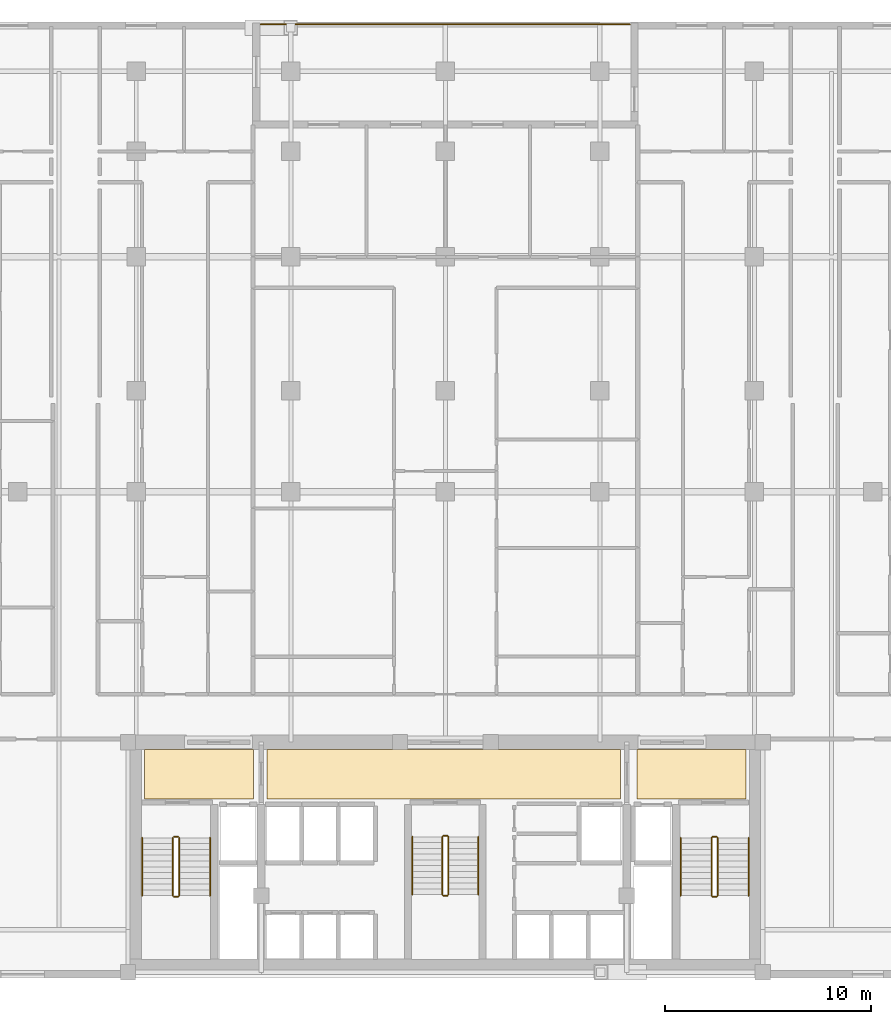
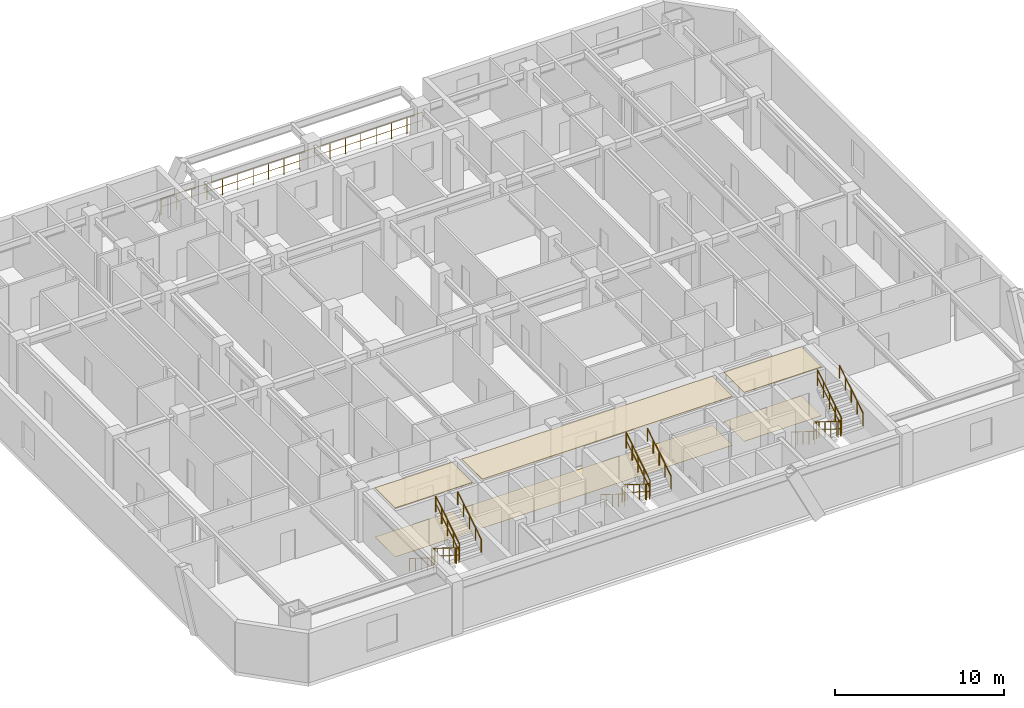
# One storey, part 10 of 10: 19 railings, 6 coverings.
"""IFC4 building model written with IfcOpenShell, lengths in metres."""

from ifc_helpers import new_model, si_unit, direction, frame, origin, origin_2d, place, context, subcontext, project, spatial, polyline, circle, outline, extrude, material, layer, layer_set, type_object, element, save


model = new_model("IFC4")

# Units and contexts
model_context = context("Model", 3, precision=1e-05, world=origin(), true_north=direction((0.0, 1.0)))
body_context = subcontext(model_context, "Body", "Model", "MODEL_VIEW")
ifc_project = project(units=[si_unit("LENGTHUNIT", "METRE"), si_unit("AREAUNIT", "SQUARE_METRE"), si_unit("VOLUMEUNIT", "CUBIC_METRE"), si_unit("PLANEANGLEUNIT", "RADIAN"), si_unit("MASSUNIT", "GRAM", prefix="KILO")], contexts=[model_context])

# Site, building, storey
site_placement = place(None, origin())
site = spatial("IfcSite", under=ifc_project, at=site_placement, CompositionType="ELEMENT")
building_placement = place(site_placement, origin())
building = spatial("IfcBuilding", under=site, at=building_placement, Name="Ventersveld Concourse Tower", CompositionType="ELEMENT")
storey_placement = place(building_placement, frame((0.0, 0.0, 72.14990234375)))
storey = spatial("IfcBuildingStorey", under=building, at=storey_placement, Name="L17", CompositionType="ELEMENT", Elevation=72.14990234375)

# Coverings
ifc_material_1 = material(Name="Mineral-fibre acoustic ceiling tile", Category="gypsum")
ifc_layer_1 = layer(ifc_material_1, 0.0400390625)
ifc_layer_set_1 = layer_set([ifc_layer_1], Name="Mineral-fibre acoustic ceiling tile")
covering_type_1 = type_object("IfcCoveringType", Name="COV-CEIL-ACOUSTIC", PredefinedType="CEILING", material=ifc_layer_set_1)
covering_1_placement = place(storey_placement, frame((0.0, 0.0, 3.530029296875)))
element("IfcCovering", 1, at=covering_1_placement, inside=storey, type_object=covering_type_1, Name="L17 North Lift Lobby Acoustic Ceiling", PredefinedType="CEILING", context=body_context, shape_type="SweptSolid", body=[
    extrude(outline(polyline([(20.10009765625, 8.699951171875), (37.25, 8.699951171875), (37.25, 11.10009765625), (20.10009765625, 11.10009765625), (20.10009765625, 8.699951171875)])), origin(), (0.0, 0.0, 1.0), 0.0400390625),
])
covering_2_placement = place(storey_placement, frame((0.0, 0.0, 3.530029296875)))
element("IfcCovering", 2, at=covering_2_placement, inside=storey, type_object=covering_type_1, Name="L17 West Firefighting Lobby Acoustic Ceiling", PredefinedType="CEILING", context=body_context, shape_type="SweptSolid", body=[
    extrude(outline(polyline([(14.14990234375, 8.699951171875), (19.449951171875, 8.699951171875), (19.449951171875, 11.10009765625), (14.14990234375, 11.10009765625), (14.14990234375, 8.699951171875)])), origin(), (0.0, 0.0, 1.0), 0.0400390625),
])
covering_3_placement = place(storey_placement, frame((0.0, 0.0, 3.530029296875)))
element("IfcCovering", 3, at=covering_3_placement, inside=storey, type_object=covering_type_1, Name="L17 East Firefighting Lobby Acoustic Ceiling", PredefinedType="CEILING", context=body_context, shape_type="SweptSolid", body=[
    extrude(outline(polyline([(38.050048828125, 8.699951171875), (43.35009765625, 8.699951171875), (43.35009765625, 11.10009765625), (38.050048828125, 11.10009765625), (38.050048828125, 8.699951171875)])), origin(), (0.0, 0.0, 1.0), 0.0400390625),
])
ifc_material_2 = material(Name="Polished Highveld granite terrazzo", Category="masonry")
ifc_layer_2 = layer(ifc_material_2, 0.02001953125)
ifc_layer_set_2 = layer_set([ifc_layer_2], Name="Polished Highveld granite terrazzo")
covering_type_2 = type_object("IfcCoveringType", Name="COV-FLOOR-TERRAZZO", PredefinedType="FLOORING", material=ifc_layer_set_2)
covering_4_placement = place(storey_placement, origin())
element("IfcCovering", 4, at=covering_4_placement, inside=storey, type_object=covering_type_2, Name="L17 North Lift Lobby Terrazzo Flooring", PredefinedType="FLOORING", context=body_context, shape_type="SweptSolid", body=[
    extrude(outline(polyline([(20.10009765625, 8.699951171875), (37.25, 8.699951171875), (37.25, 11.10009765625), (20.10009765625, 11.10009765625), (20.10009765625, 8.699951171875)])), origin(), (0.0, 0.0, 1.0), 0.02001953125),
])
covering_5_placement = place(storey_placement, origin())
element("IfcCovering", 5, at=covering_5_placement, inside=storey, type_object=covering_type_2, Name="L17 West Firefighting Lobby Terrazzo Flooring", PredefinedType="FLOORING", context=body_context, shape_type="SweptSolid", body=[
    extrude(outline(polyline([(14.14990234375, 8.699951171875), (19.449951171875, 8.699951171875), (19.449951171875, 11.10009765625), (14.14990234375, 11.10009765625), (14.14990234375, 8.699951171875)])), origin(), (0.0, 0.0, 1.0), 0.02001953125),
])
covering_6_placement = place(storey_placement, origin())
element("IfcCovering", 6, at=covering_6_placement, inside=storey, type_object=covering_type_2, Name="L17 East Firefighting Lobby Terrazzo Flooring", PredefinedType="FLOORING", context=body_context, shape_type="SweptSolid", body=[
    extrude(outline(polyline([(38.050048828125, 8.699951171875), (43.35009765625, 8.699951171875), (43.35009765625, 11.10009765625), (38.050048828125, 11.10009765625), (38.050048828125, 8.699951171875)])), origin(), (0.0, 0.0, 1.0), 0.02001953125),
])

# Railings
ifc_material_3 = material(Name="Brushed stainless steel 316", Category="steel")
railing_type_1 = type_object("IfcRailingType", Name="GD-BAL-115", PredefinedType="GUARDRAIL", material=ifc_material_3)
railing_1_placement = place(storey_placement, frame((15.530029296875, 6.800048828125, 0.175048828125)))
element("IfcRailing", 7, at=railing_1_placement, inside=storey, type_object=railing_type_1, Name="L17 ST-01 stair guard 1", PredefinedType="GUARDRAIL", context=body_context, shape_type="SweptSolid", body=[
    extrude(circle(Radius=0.02392578125, at=origin_2d()), frame((0.0, 0.0, 1.1259765625), z_axis=(0.0, -0.848002457836, 0.529992293815), x_axis=(1.0, 0.0, 0.0)), (0.0, 0.0, 1.0), 3.302001953125),
    extrude(circle(Radius=0.01611328125, at=origin_2d()), frame((0.0, 0.0, 0.574951171875), z_axis=(0.0, -0.848002457836, 0.529992293815), x_axis=(1.0, 0.0, 0.0)), (0.0, 0.0, 1.0), 3.302001953125),
    extrude(circle(Radius=0.02099609375, at=origin_2d()), origin(), (0.0, 0.0, 1.0), 1.101806640625),
    extrude(circle(Radius=0.02099609375, at=origin_2d()), frame((0.0, -0.699951171875, 0.4375)), (0.0, 0.0, 1.0), 1.101806640625),
    extrude(circle(Radius=0.02099609375, at=origin_2d()), frame((0.0, -1.39990234375, 0.875)), (0.0, 0.0, 1.0), 1.101806640625),
    extrude(circle(Radius=0.02099609375, at=origin_2d()), frame((0.0, -2.10009765625, 1.3125)), (0.0, 0.0, 1.0), 1.101806640625),
    extrude(circle(Radius=0.02099609375, at=origin_2d()), frame((0.0, -2.800048828125, 1.75)), (0.0, 0.0, 1.0), 1.101806640625),
])
railing_2_placement = place(storey_placement, frame((15.580078125, 3.949951171875, 1.925048828125)))
element("IfcRailing", 8, at=railing_2_placement, inside=storey, type_object=railing_type_1, Name="L17 ST-01 stair guard 2", PredefinedType="GUARDRAIL", context=body_context, shape_type="SweptSolid", body=[
    extrude(circle(Radius=0.02392578125, at=origin_2d()), frame((0.0, 0.0, 1.1259765625), z_axis=(1.0, 0.0, 0.0), x_axis=(0.0, 1.0, 0.0)), (0.0, 0.0, 1.0), 0.199951171875),
    extrude(circle(Radius=0.01611328125, at=origin_2d()), frame((0.0, 0.0, 0.574951171875), z_axis=(1.0, 0.0, 0.0), x_axis=(0.0, 1.0, 0.0)), (0.0, 0.0, 1.0), 0.199951171875),
    extrude(circle(Radius=0.02099609375, at=origin_2d()), origin(), (0.0, 0.0, 1.0), 1.101806640625),
    extrude(circle(Radius=0.02099609375, at=origin_2d()), frame((0.199951171875, 0.0, 0.0)), (0.0, 0.0, 1.0), 1.101806640625),
])
railing_3_placement = place(storey_placement, frame((15.830078125, 4.0, 2.10009765625)))
element("IfcRailing", 9, at=railing_3_placement, inside=storey, type_object=railing_type_1, Name="L17 ST-01 stair guard 3", PredefinedType="GUARDRAIL", context=body_context, shape_type="SweptSolid", body=[
    extrude(circle(Radius=0.02392578125, at=origin_2d()), frame((0.0, 0.0, 1.1259765625), z_axis=(0.0, 0.848002457836, 0.529992293815), x_axis=(-1.0, 0.0, 0.0)), (0.0, 0.0, 1.0), 3.302001953125),
    extrude(circle(Radius=0.01611328125, at=origin_2d()), frame((0.0, 0.0, 0.574951171875), z_axis=(0.0, 0.848002457836, 0.529992293815), x_axis=(-1.0, 0.0, 0.0)), (0.0, 0.0, 1.0), 3.302001953125),
    extrude(circle(Radius=0.02099609375, at=origin_2d()), origin(), (0.0, 0.0, 1.0), 1.101806640625),
    extrude(circle(Radius=0.02099609375, at=origin_2d()), frame((0.0, 0.699951171875, 0.4375)), (0.0, 0.0, 1.0), 1.101806640625),
    extrude(circle(Radius=0.02099609375, at=origin_2d()), frame((0.0, 1.39990234375, 0.875)), (0.0, 0.0, 1.0), 1.101806640625),
    extrude(circle(Radius=0.02099609375, at=origin_2d()), frame((0.0, 2.10009765625, 1.3125)), (0.0, 0.0, 1.0), 1.101806640625),
    extrude(circle(Radius=0.02099609375, at=origin_2d()), frame((0.0, 2.800048828125, 1.75)), (0.0, 0.0, 1.0), 1.101806640625),
])
railing_4_placement = place(storey_placement, frame((15.580078125, 6.85009765625, 0.0)))
element("IfcRailing", 10, at=railing_4_placement, inside=storey, type_object=railing_type_1, Name="L17 ST-01 stair guard 4", PredefinedType="GUARDRAIL", context=body_context, shape_type="SweptSolid", body=[
    extrude(circle(Radius=0.02392578125, at=origin_2d()), frame((0.0, 0.0, 1.1259765625), z_axis=(1.0, 0.0, 0.0), x_axis=(0.0, 1.0, 0.0)), (0.0, 0.0, 1.0), 0.199951171875),
    extrude(circle(Radius=0.01611328125, at=origin_2d()), frame((0.0, 0.0, 0.574951171875), z_axis=(1.0, 0.0, 0.0), x_axis=(0.0, 1.0, 0.0)), (0.0, 0.0, 1.0), 0.199951171875),
    extrude(circle(Radius=0.02099609375, at=origin_2d()), origin(), (0.0, 0.0, 1.0), 1.101806640625),
    extrude(circle(Radius=0.02099609375, at=origin_2d()), frame((0.199951171875, 0.0, 0.0)), (0.0, 0.0, 1.0), 1.101806640625),
])
railing_5_placement = place(storey_placement, frame((41.669921875, 6.800048828125, 0.175048828125)))
element("IfcRailing", 11, at=railing_5_placement, inside=storey, type_object=railing_type_1, Name="L17 ST-02 stair guard 1", PredefinedType="GUARDRAIL", context=body_context, shape_type="SweptSolid", body=[
    extrude(circle(Radius=0.02392578125, at=origin_2d()), frame((0.0, 0.0, 1.1259765625), z_axis=(0.0, -0.848002457836, 0.529992293815), x_axis=(1.0, 0.0, 0.0)), (0.0, 0.0, 1.0), 3.302001953125),
    extrude(circle(Radius=0.01611328125, at=origin_2d()), frame((0.0, 0.0, 0.574951171875), z_axis=(0.0, -0.848002457836, 0.529992293815), x_axis=(1.0, 0.0, 0.0)), (0.0, 0.0, 1.0), 3.302001953125),
    extrude(circle(Radius=0.02099609375, at=origin_2d()), origin(), (0.0, 0.0, 1.0), 1.101806640625),
    extrude(circle(Radius=0.02099609375, at=origin_2d()), frame((0.0, -0.699951171875, 0.4375)), (0.0, 0.0, 1.0), 1.101806640625),
    extrude(circle(Radius=0.02099609375, at=origin_2d()), frame((0.0, -1.39990234375, 0.875)), (0.0, 0.0, 1.0), 1.101806640625),
    extrude(circle(Radius=0.02099609375, at=origin_2d()), frame((0.0, -2.10009765625, 1.3125)), (0.0, 0.0, 1.0), 1.101806640625),
    extrude(circle(Radius=0.02099609375, at=origin_2d()), frame((0.0, -2.800048828125, 1.75)), (0.0, 0.0, 1.0), 1.101806640625),
])
railing_6_placement = place(storey_placement, frame((41.719970703125, 3.949951171875, 1.925048828125)))
element("IfcRailing", 12, at=railing_6_placement, inside=storey, type_object=railing_type_1, Name="L17 ST-02 stair guard 2", PredefinedType="GUARDRAIL", context=body_context, shape_type="SweptSolid", body=[
    extrude(circle(Radius=0.02392578125, at=origin_2d()), frame((0.0, 0.0, 1.1259765625), z_axis=(1.0, 0.0, 0.0), x_axis=(0.0, 1.0, 0.0)), (0.0, 0.0, 1.0), 0.199951171875),
    extrude(circle(Radius=0.01611328125, at=origin_2d()), frame((0.0, 0.0, 0.574951171875), z_axis=(1.0, 0.0, 0.0), x_axis=(0.0, 1.0, 0.0)), (0.0, 0.0, 1.0), 0.199951171875),
    extrude(circle(Radius=0.02099609375, at=origin_2d()), origin(), (0.0, 0.0, 1.0), 1.101806640625),
    extrude(circle(Radius=0.02099609375, at=origin_2d()), frame((0.199951171875, 0.0, 0.0)), (0.0, 0.0, 1.0), 1.101806640625),
])
railing_7_placement = place(storey_placement, frame((41.969970703125, 4.0, 2.10009765625)))
element("IfcRailing", 13, at=railing_7_placement, inside=storey, type_object=railing_type_1, Name="L17 ST-02 stair guard 3", PredefinedType="GUARDRAIL", context=body_context, shape_type="SweptSolid", body=[
    extrude(circle(Radius=0.02392578125, at=origin_2d()), frame((0.0, 0.0, 1.1259765625), z_axis=(0.0, 0.848002457836, 0.529992293815), x_axis=(-1.0, 0.0, 0.0)), (0.0, 0.0, 1.0), 3.302001953125),
    extrude(circle(Radius=0.01611328125, at=origin_2d()), frame((0.0, 0.0, 0.574951171875), z_axis=(0.0, 0.848002457836, 0.529992293815), x_axis=(-1.0, 0.0, 0.0)), (0.0, 0.0, 1.0), 3.302001953125),
    extrude(circle(Radius=0.02099609375, at=origin_2d()), origin(), (0.0, 0.0, 1.0), 1.101806640625),
    extrude(circle(Radius=0.02099609375, at=origin_2d()), frame((0.0, 0.699951171875, 0.4375)), (0.0, 0.0, 1.0), 1.101806640625),
    extrude(circle(Radius=0.02099609375, at=origin_2d()), frame((0.0, 1.39990234375, 0.875)), (0.0, 0.0, 1.0), 1.101806640625),
    extrude(circle(Radius=0.02099609375, at=origin_2d()), frame((0.0, 2.10009765625, 1.3125)), (0.0, 0.0, 1.0), 1.101806640625),
    extrude(circle(Radius=0.02099609375, at=origin_2d()), frame((0.0, 2.800048828125, 1.75)), (0.0, 0.0, 1.0), 1.101806640625),
])
railing_8_placement = place(storey_placement, frame((41.719970703125, 6.85009765625, 0.0)))
element("IfcRailing", 14, at=railing_8_placement, inside=storey, type_object=railing_type_1, Name="L17 ST-02 stair guard 4", PredefinedType="GUARDRAIL", context=body_context, shape_type="SweptSolid", body=[
    extrude(circle(Radius=0.02392578125, at=origin_2d()), frame((0.0, 0.0, 1.1259765625), z_axis=(1.0, 0.0, 0.0), x_axis=(0.0, 1.0, 0.0)), (0.0, 0.0, 1.0), 0.199951171875),
    extrude(circle(Radius=0.01611328125, at=origin_2d()), frame((0.0, 0.0, 0.574951171875), z_axis=(1.0, 0.0, 0.0), x_axis=(0.0, 1.0, 0.0)), (0.0, 0.0, 1.0), 0.199951171875),
    extrude(circle(Radius=0.02099609375, at=origin_2d()), origin(), (0.0, 0.0, 1.0), 1.101806640625),
    extrude(circle(Radius=0.02099609375, at=origin_2d()), frame((0.199951171875, 0.0, 0.0)), (0.0, 0.0, 1.0), 1.101806640625),
])
railing_9_placement = place(storey_placement, frame((28.60009765625, 6.85009765625, 0.175048828125)))
element("IfcRailing", 15, at=railing_9_placement, inside=storey, type_object=railing_type_1, Name="L17 ST-03 stair guard 1", PredefinedType="GUARDRAIL", context=body_context, shape_type="SweptSolid", body=[
    extrude(circle(Radius=0.02392578125, at=origin_2d()), frame((0.0, 0.0, 1.1259765625), z_axis=(0.0, -0.848002457836, 0.529992293815), x_axis=(1.0, 0.0, 0.0)), (0.0, 0.0, 1.0), 3.302001953125),
    extrude(circle(Radius=0.01611328125, at=origin_2d()), frame((0.0, 0.0, 0.574951171875), z_axis=(0.0, -0.848002457836, 0.529992293815), x_axis=(1.0, 0.0, 0.0)), (0.0, 0.0, 1.0), 3.302001953125),
    extrude(circle(Radius=0.02099609375, at=origin_2d()), origin(), (0.0, 0.0, 1.0), 1.101806640625),
    extrude(circle(Radius=0.02099609375, at=origin_2d()), frame((0.0, -0.699951171875, 0.4375)), (0.0, 0.0, 1.0), 1.101806640625),
    extrude(circle(Radius=0.02099609375, at=origin_2d()), frame((0.0, -1.39990234375, 0.875)), (0.0, 0.0, 1.0), 1.101806640625),
    extrude(circle(Radius=0.02099609375, at=origin_2d()), frame((0.0, -2.10009765625, 1.3125)), (0.0, 0.0, 1.0), 1.101806640625),
    extrude(circle(Radius=0.02099609375, at=origin_2d()), frame((0.0, -2.800048828125, 1.75)), (0.0, 0.0, 1.0), 1.101806640625),
])
railing_10_placement = place(storey_placement, frame((28.64990234375, 4.0, 1.925048828125)))
element("IfcRailing", 16, at=railing_10_placement, inside=storey, type_object=railing_type_1, Name="L17 ST-03 stair guard 2", PredefinedType="GUARDRAIL", context=body_context, shape_type="SweptSolid", body=[
    extrude(circle(Radius=0.02392578125, at=origin_2d()), frame((0.0, 0.0, 1.1259765625), z_axis=(1.0, 0.0, 0.0), x_axis=(0.0, 1.0, 0.0)), (0.0, 0.0, 1.0), 0.2001953125),
    extrude(circle(Radius=0.01611328125, at=origin_2d()), frame((0.0, 0.0, 0.574951171875), z_axis=(1.0, 0.0, 0.0), x_axis=(0.0, 1.0, 0.0)), (0.0, 0.0, 1.0), 0.2001953125),
    extrude(circle(Radius=0.02099609375, at=origin_2d()), origin(), (0.0, 0.0, 1.0), 1.101806640625),
    extrude(circle(Radius=0.02099609375, at=origin_2d()), frame((0.2001953125, 0.0, 0.0)), (0.0, 0.0, 1.0), 1.101806640625),
])
railing_11_placement = place(storey_placement, frame((28.89990234375, 4.050048828125, 2.10009765625)))
element("IfcRailing", 17, at=railing_11_placement, inside=storey, type_object=railing_type_1, Name="L17 ST-03 stair guard 3", PredefinedType="GUARDRAIL", context=body_context, shape_type="SweptSolid", body=[
    extrude(circle(Radius=0.02392578125, at=origin_2d()), frame((0.0, 0.0, 1.1259765625), z_axis=(0.0, 0.848002457836, 0.529992293815), x_axis=(-1.0, 0.0, 0.0)), (0.0, 0.0, 1.0), 3.302001953125),
    extrude(circle(Radius=0.01611328125, at=origin_2d()), frame((0.0, 0.0, 0.574951171875), z_axis=(0.0, 0.848002457836, 0.529992293815), x_axis=(-1.0, 0.0, 0.0)), (0.0, 0.0, 1.0), 3.302001953125),
    extrude(circle(Radius=0.02099609375, at=origin_2d()), origin(), (0.0, 0.0, 1.0), 1.101806640625),
    extrude(circle(Radius=0.02099609375, at=origin_2d()), frame((0.0, 0.699951171875, 0.4375)), (0.0, 0.0, 1.0), 1.101806640625),
    extrude(circle(Radius=0.02099609375, at=origin_2d()), frame((0.0, 1.39990234375, 0.875)), (0.0, 0.0, 1.0), 1.101806640625),
    extrude(circle(Radius=0.02099609375, at=origin_2d()), frame((0.0, 2.10009765625, 1.3125)), (0.0, 0.0, 1.0), 1.101806640625),
    extrude(circle(Radius=0.02099609375, at=origin_2d()), frame((0.0, 2.800048828125, 1.75)), (0.0, 0.0, 1.0), 1.101806640625),
])
railing_12_placement = place(storey_placement, frame((28.64990234375, 6.89990234375, 0.0)))
element("IfcRailing", 18, at=railing_12_placement, inside=storey, type_object=railing_type_1, Name="L17 ST-03 stair guard 4", PredefinedType="GUARDRAIL", context=body_context, shape_type="SweptSolid", body=[
    extrude(circle(Radius=0.02392578125, at=origin_2d()), frame((0.0, 0.0, 1.1259765625), z_axis=(1.0, 0.0, 0.0), x_axis=(0.0, 1.0, 0.0)), (0.0, 0.0, 1.0), 0.2001953125),
    extrude(circle(Radius=0.01611328125, at=origin_2d()), frame((0.0, 0.0, 0.574951171875), z_axis=(1.0, 0.0, 0.0), x_axis=(0.0, 1.0, 0.0)), (0.0, 0.0, 1.0), 0.2001953125),
    extrude(circle(Radius=0.02099609375, at=origin_2d()), origin(), (0.0, 0.0, 1.0), 1.101806640625),
    extrude(circle(Radius=0.02099609375, at=origin_2d()), frame((0.2001953125, 0.0, 0.0)), (0.0, 0.0, 1.0), 1.101806640625),
])
railing_type_2 = type_object("IfcRailingType", Name="GD-TER-120", PredefinedType="GUARDRAIL", material=ifc_material_3)
railing_13_placement = place(storey_placement, frame((19.800048828125, 46.280029296875, 0.0)))
element("IfcRailing", 19, at=railing_13_placement, inside=storey, type_object=railing_type_2, Name="L17 Outdoor Terrace Guardrail NOTCH-N", PredefinedType="GUARDRAIL", context=body_context, shape_type="SweptSolid", body=[
    extrude(circle(Radius=0.02392578125, at=origin_2d()), frame((0.0, 0.0, 1.17578125), z_axis=(1.0, 0.0, 0.0), x_axis=(0.0, 1.0, 0.0)), (0.0, 0.0, 1.0), 17.89990234375),
    extrude(circle(Radius=0.01611328125, at=origin_2d()), frame((0.0, 0.0, 0.60009765625), z_axis=(1.0, 0.0, 0.0), x_axis=(0.0, 1.0, 0.0)), (0.0, 0.0, 1.0), 17.89990234375),
    extrude(circle(Radius=0.02099609375, at=origin_2d()), origin(), (0.0, 0.0, 1.0), 1.15185546875),
    extrude(circle(Radius=0.02099609375, at=origin_2d()), frame((1.052978515625, 0.0, 0.0)), (0.0, 0.0, 1.0), 1.15185546875),
    extrude(circle(Radius=0.02099609375, at=origin_2d()), frame((2.10595703125, 0.0, 0.0)), (0.0, 0.0, 1.0), 1.15185546875),
    extrude(circle(Radius=0.02099609375, at=origin_2d()), frame((3.15869140625, 0.0, 0.0)), (0.0, 0.0, 1.0), 1.15185546875),
    extrude(circle(Radius=0.02099609375, at=origin_2d()), frame((4.211669921875, 0.0, 0.0)), (0.0, 0.0, 1.0), 1.15185546875),
    extrude(circle(Radius=0.02099609375, at=origin_2d()), frame((5.2646484375, 0.0, 0.0)), (0.0, 0.0, 1.0), 1.15185546875),
    extrude(circle(Radius=0.02099609375, at=origin_2d()), frame((6.317626953125, 0.0, 0.0)), (0.0, 0.0, 1.0), 1.15185546875),
    extrude(circle(Radius=0.02099609375, at=origin_2d()), frame((7.37060546875, 0.0, 0.0)), (0.0, 0.0, 1.0), 1.15185546875),
    extrude(circle(Radius=0.02099609375, at=origin_2d()), frame((8.423583984375, 0.0, 0.0)), (0.0, 0.0, 1.0), 1.15185546875),
    extrude(circle(Radius=0.02099609375, at=origin_2d()), frame((9.476318359375, 0.0, 0.0)), (0.0, 0.0, 1.0), 1.15185546875),
    extrude(circle(Radius=0.02099609375, at=origin_2d()), frame((10.529296875, 0.0, 0.0)), (0.0, 0.0, 1.0), 1.15185546875),
    extrude(circle(Radius=0.02099609375, at=origin_2d()), frame((11.582275390625, 0.0, 0.0)), (0.0, 0.0, 1.0), 1.15185546875),
    extrude(circle(Radius=0.02099609375, at=origin_2d()), frame((12.63525390625, 0.0, 0.0)), (0.0, 0.0, 1.0), 1.15185546875),
    extrude(circle(Radius=0.02099609375, at=origin_2d()), frame((13.688232421875, 0.0, 0.0)), (0.0, 0.0, 1.0), 1.15185546875),
    extrude(circle(Radius=0.02099609375, at=origin_2d()), frame((14.7412109375, 0.0, 0.0)), (0.0, 0.0, 1.0), 1.15185546875),
    extrude(circle(Radius=0.02099609375, at=origin_2d()), frame((15.7939453125, 0.0, 0.0)), (0.0, 0.0, 1.0), 1.15185546875),
    extrude(circle(Radius=0.02099609375, at=origin_2d()), frame((16.846923828125, 0.0, 0.0)), (0.0, 0.0, 1.0), 1.15185546875),
    extrude(circle(Radius=0.02099609375, at=origin_2d()), frame((17.89990234375, 0.0, 0.0)), (0.0, 0.0, 1.0), 1.15185546875),
])
railing_type_3 = type_object("IfcRailingType", Name="HR-RMP-095", PredefinedType="HANDRAIL", material=ifc_material_3)
railing_14_placement = place(storey_placement, frame((14.030029296875, 6.800048828125, 0.175048828125)))
element("IfcRailing", 20, at=railing_14_placement, inside=storey, type_object=railing_type_3, Name="L17 ST-01 stair handrail 1", PredefinedType="HANDRAIL", context=body_context, shape_type="SweptSolid", body=[
    extrude(circle(Radius=0.02392578125, at=origin_2d()), frame((0.0, 0.0, 0.92578125), z_axis=(0.0, -0.848002457836, 0.529992293815), x_axis=(1.0, 0.0, 0.0)), (0.0, 0.0, 1.0), 3.302001953125),
    extrude(circle(Radius=0.02099609375, at=origin_2d()), origin(), (0.0, 0.0, 1.0), 0.90185546875),
    extrude(circle(Radius=0.02099609375, at=origin_2d()), frame((0.0, -0.699951171875, 0.4375)), (0.0, 0.0, 1.0), 0.90185546875),
    extrude(circle(Radius=0.02099609375, at=origin_2d()), frame((0.0, -1.39990234375, 0.875)), (0.0, 0.0, 1.0), 0.90185546875),
    extrude(circle(Radius=0.02099609375, at=origin_2d()), frame((0.0, -2.10009765625, 1.3125)), (0.0, 0.0, 1.0), 0.90185546875),
    extrude(circle(Radius=0.02099609375, at=origin_2d()), frame((0.0, -2.800048828125, 1.75)), (0.0, 0.0, 1.0), 0.90185546875),
])
railing_15_placement = place(storey_placement, frame((17.330078125, 4.0, 2.10009765625)))
element("IfcRailing", 21, at=railing_15_placement, inside=storey, type_object=railing_type_3, Name="L17 ST-01 stair handrail 2", PredefinedType="HANDRAIL", context=body_context, shape_type="SweptSolid", body=[
    extrude(circle(Radius=0.02392578125, at=origin_2d()), frame((0.0, 0.0, 0.92578125), z_axis=(0.0, 0.848002457836, 0.529992293815), x_axis=(-1.0, 0.0, 0.0)), (0.0, 0.0, 1.0), 3.302001953125),
    extrude(circle(Radius=0.02099609375, at=origin_2d()), origin(), (0.0, 0.0, 1.0), 0.90185546875),
    extrude(circle(Radius=0.02099609375, at=origin_2d()), frame((0.0, 0.699951171875, 0.4375)), (0.0, 0.0, 1.0), 0.90185546875),
    extrude(circle(Radius=0.02099609375, at=origin_2d()), frame((0.0, 1.39990234375, 0.875)), (0.0, 0.0, 1.0), 0.90185546875),
    extrude(circle(Radius=0.02099609375, at=origin_2d()), frame((0.0, 2.10009765625, 1.3125)), (0.0, 0.0, 1.0), 0.90185546875),
    extrude(circle(Radius=0.02099609375, at=origin_2d()), frame((0.0, 2.800048828125, 1.75)), (0.0, 0.0, 1.0), 0.90185546875),
])
railing_16_placement = place(storey_placement, frame((40.169921875, 6.800048828125, 0.175048828125)))
element("IfcRailing", 22, at=railing_16_placement, inside=storey, type_object=railing_type_3, Name="L17 ST-02 stair handrail 1", PredefinedType="HANDRAIL", context=body_context, shape_type="SweptSolid", body=[
    extrude(circle(Radius=0.02392578125, at=origin_2d()), frame((0.0, 0.0, 0.92578125), z_axis=(0.0, -0.848002457836, 0.529992293815), x_axis=(1.0, 0.0, 0.0)), (0.0, 0.0, 1.0), 3.302001953125),
    extrude(circle(Radius=0.02099609375, at=origin_2d()), origin(), (0.0, 0.0, 1.0), 0.90185546875),
    extrude(circle(Radius=0.02099609375, at=origin_2d()), frame((0.0, -0.699951171875, 0.4375)), (0.0, 0.0, 1.0), 0.90185546875),
    extrude(circle(Radius=0.02099609375, at=origin_2d()), frame((0.0, -1.39990234375, 0.875)), (0.0, 0.0, 1.0), 0.90185546875),
    extrude(circle(Radius=0.02099609375, at=origin_2d()), frame((0.0, -2.10009765625, 1.3125)), (0.0, 0.0, 1.0), 0.90185546875),
    extrude(circle(Radius=0.02099609375, at=origin_2d()), frame((0.0, -2.800048828125, 1.75)), (0.0, 0.0, 1.0), 0.90185546875),
])
railing_17_placement = place(storey_placement, frame((43.469970703125, 4.0, 2.10009765625)))
element("IfcRailing", 23, at=railing_17_placement, inside=storey, type_object=railing_type_3, Name="L17 ST-02 stair handrail 2", PredefinedType="HANDRAIL", context=body_context, shape_type="SweptSolid", body=[
    extrude(circle(Radius=0.02392578125, at=origin_2d()), frame((0.0, 0.0, 0.92578125), z_axis=(0.0, 0.848002457836, 0.529992293815), x_axis=(-1.0, 0.0, 0.0)), (0.0, 0.0, 1.0), 3.302001953125),
    extrude(circle(Radius=0.02099609375, at=origin_2d()), origin(), (0.0, 0.0, 1.0), 0.90185546875),
    extrude(circle(Radius=0.02099609375, at=origin_2d()), frame((0.0, 0.699951171875, 0.4375)), (0.0, 0.0, 1.0), 0.90185546875),
    extrude(circle(Radius=0.02099609375, at=origin_2d()), frame((0.0, 1.39990234375, 0.875)), (0.0, 0.0, 1.0), 0.90185546875),
    extrude(circle(Radius=0.02099609375, at=origin_2d()), frame((0.0, 2.10009765625, 1.3125)), (0.0, 0.0, 1.0), 0.90185546875),
    extrude(circle(Radius=0.02099609375, at=origin_2d()), frame((0.0, 2.800048828125, 1.75)), (0.0, 0.0, 1.0), 0.90185546875),
])
railing_18_placement = place(storey_placement, frame((27.14990234375, 6.85009765625, 0.175048828125)))
element("IfcRailing", 24, at=railing_18_placement, inside=storey, type_object=railing_type_3, Name="L17 ST-03 stair handrail 1", PredefinedType="HANDRAIL", context=body_context, shape_type="SweptSolid", body=[
    extrude(circle(Radius=0.02392578125, at=origin_2d()), frame((0.0, 0.0, 0.92578125), z_axis=(0.0, -0.848002457836, 0.529992293815), x_axis=(1.0, 0.0, 0.0)), (0.0, 0.0, 1.0), 3.302001953125),
    extrude(circle(Radius=0.02099609375, at=origin_2d()), origin(), (0.0, 0.0, 1.0), 0.90185546875),
    extrude(circle(Radius=0.02099609375, at=origin_2d()), frame((0.0, -0.699951171875, 0.4375)), (0.0, 0.0, 1.0), 0.90185546875),
    extrude(circle(Radius=0.02099609375, at=origin_2d()), frame((0.0, -1.39990234375, 0.875)), (0.0, 0.0, 1.0), 0.90185546875),
    extrude(circle(Radius=0.02099609375, at=origin_2d()), frame((0.0, -2.10009765625, 1.3125)), (0.0, 0.0, 1.0), 0.90185546875),
    extrude(circle(Radius=0.02099609375, at=origin_2d()), frame((0.0, -2.800048828125, 1.75)), (0.0, 0.0, 1.0), 0.90185546875),
])
railing_19_placement = place(storey_placement, frame((30.35009765625, 4.050048828125, 2.10009765625)))
element("IfcRailing", 25, at=railing_19_placement, inside=storey, type_object=railing_type_3, Name="L17 ST-03 stair handrail 2", PredefinedType="HANDRAIL", context=body_context, shape_type="SweptSolid", body=[
    extrude(circle(Radius=0.02392578125, at=origin_2d()), frame((0.0, 0.0, 0.92578125), z_axis=(0.0, 0.848002457836, 0.529992293815), x_axis=(-1.0, 0.0, 0.0)), (0.0, 0.0, 1.0), 3.302001953125),
    extrude(circle(Radius=0.02099609375, at=origin_2d()), origin(), (0.0, 0.0, 1.0), 0.90185546875),
    extrude(circle(Radius=0.02099609375, at=origin_2d()), frame((0.0, 0.699951171875, 0.4375)), (0.0, 0.0, 1.0), 0.90185546875),
    extrude(circle(Radius=0.02099609375, at=origin_2d()), frame((0.0, 1.39990234375, 0.875)), (0.0, 0.0, 1.0), 0.90185546875),
    extrude(circle(Radius=0.02099609375, at=origin_2d()), frame((0.0, 2.10009765625, 1.3125)), (0.0, 0.0, 1.0), 0.90185546875),
    extrude(circle(Radius=0.02099609375, at=origin_2d()), frame((0.0, 2.800048828125, 1.75)), (0.0, 0.0, 1.0), 0.90185546875),
])

save(model, "model.ifc")
